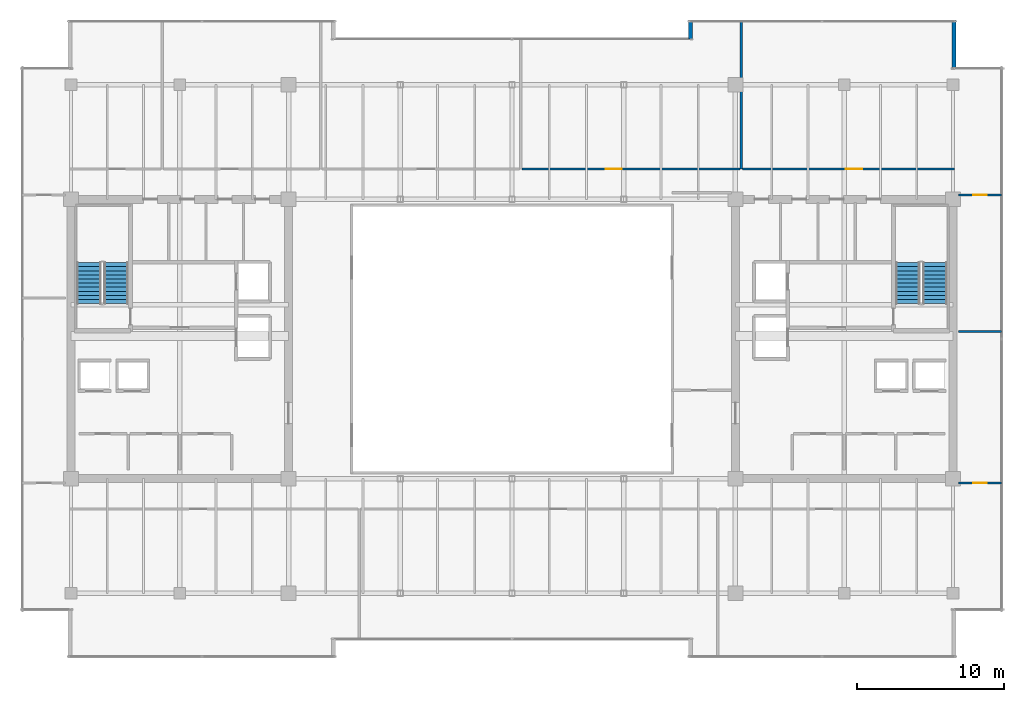
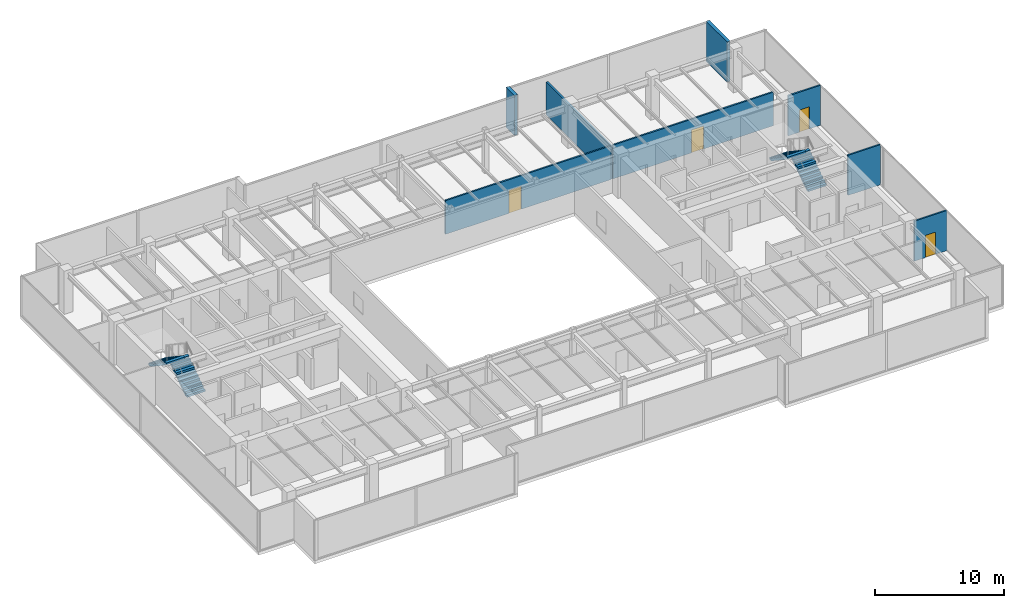
# One storey, part 31 of 33: 8 walls, 4 doors, 4 stair flights, 4 openings, 2 elements without a shape of their own.
"""IFC4 building model written with IfcOpenShell, lengths in metres."""

from ifc_helpers import new_model, si_unit, direction, frame, frame_2d, origin, place, context, subcontext, project, spatial, polyline, rectangle, outline, extrude, source, transform, mapped, material, layer, layer_set, type_object, type_shapes, element, fill, aggregate, save


model = new_model("IFC4")

# Units and contexts
model_context = context("Model", 3, precision=1e-05, world=origin(), true_north=direction((0.0, 1.0)))
body_context = subcontext(model_context, "Body", "Model", "MODEL_VIEW")
ifc_project = project(units=[si_unit("LENGTHUNIT", "METRE"), si_unit("AREAUNIT", "SQUARE_METRE"), si_unit("VOLUMEUNIT", "CUBIC_METRE"), si_unit("PLANEANGLEUNIT", "RADIAN"), si_unit("MASSUNIT", "GRAM", prefix="KILO")], contexts=[model_context])

# Site, building, storey
site_placement = place(None, origin())
site = spatial("IfcSite", under=ifc_project, at=site_placement, CompositionType="ELEMENT")
building_placement = place(site_placement, origin())
building = spatial("IfcBuilding", under=site, at=building_placement, Name="Haelvirn Gate Laboratories", CompositionType="ELEMENT")
storey_placement = place(building_placement, frame((0.0, 0.0, 275.199951171875)))
storey = spatial("IfcBuildingStorey", under=building, at=storey_placement, Name="L66", CompositionType="ELEMENT", Elevation=275.199951171875)

# Walls
ifc_material_1 = material(Name="Thermally-broken bronze aluminium rainscreen & mineral wool", Category="aluminium")
ifc_layer_1 = layer(ifc_material_1, 0.280029296875, Name="EW-TERR-280")
ifc_layer_set_1 = layer_set([ifc_layer_1], Name="Thermally-broken bronze aluminium rainscreen & mineral wool")
wall_type_1 = type_object("IfcWallType", Name="EW-TERR-280", PredefinedType="STANDARD", material=ifc_layer_set_1)
wall_1_placement = place(storey_placement, frame((67.4599609375, 42.7119140625, 0.0), z_axis=(0.0, 0.0, 1.0), x_axis=(0.0, 1.0, 0.0)))
element("IfcWall", 1, at=wall_1_placement, inside=storey, type_object=wall_type_1, Name="L66 Atrium Recess Bronze Return Wall 09", PredefinedType="STANDARD", context=body_context, shape_type="SweptSolid", body=[
    extrude(rectangle(XDim=3.2880859375, YDim=0.280029296875, at=frame_2d((1.64404296875, 0.0))), origin(), (0.0, 0.0, 1.0), 3.800048828125),
])
wall_2_placement = place(storey_placement, frame((49.5400390625, 46.0, 0.0), z_axis=(0.0, 0.0, 1.0), x_axis=(0.0, -1.0, 0.0)))
element("IfcWall", 2, at=wall_2_placement, inside=storey, type_object=wall_type_1, Name="L66 Atrium Recess Bronze Return Wall 11", PredefinedType="STANDARD", context=body_context, shape_type="SweptSolid", body=[
    extrude(rectangle(XDim=1.29296875, YDim=0.280029296875, at=frame_2d((0.646484375, 0.0))), origin(), (0.0, 0.0, 1.0), 3.800048828125),
])
ifc_material_2 = material(Name="Double-layer acoustic gypsum laboratory partition", Category="gypsum")
ifc_layer_2 = layer(ifc_material_2, 0.159912109375, Name="IW-ACOUST-160")
ifc_layer_set_2 = layer_set([ifc_layer_2], Name="Double-layer acoustic gypsum laboratory partition")
wall_type_2 = type_object("IfcWallType", Name="IW-ACOUST-160", PredefinedType="PARTITIONING", material=ifc_layer_set_2)
wall_3_placement = place(storey_placement, frame((53.0, 35.860107421875, 0.0), z_axis=(0.0, 0.0, 1.0), x_axis=(0.0, 1.0, 0.0)))
element("IfcWall", 3, at=wall_3_placement, inside=storey, type_object=wall_type_2, Name="L66 Interior Wall IW-L66-NDIV-04", PredefinedType="PARTITIONING", context=body_context, shape_type="SweptSolid", body=[
    extrude(rectangle(XDim=10.02978515625, YDim=0.159912109375, at=frame_2d((5.014892578125, 0.0))), origin(), (0.0, 0.0, 1.0), 3.135009765625),
])

# Wall, opening, door
ifc_material_3 = material(Name="Acoustic mineral-wool gypsum board partition", Category="gypsum")
ifc_layer_3 = layer(ifc_material_3, 0.139892578125, Name="IW-PART-140")
ifc_layer_set_3 = layer_set([ifc_layer_3], Name="Acoustic mineral-wool gypsum board partition")
wall_type_3 = type_object("IfcWallType", Name="IW-PART-140", PredefinedType="PARTITIONING", material=ifc_layer_set_3)
wall_4_placement = place(storey_placement, frame((38.080078125, 35.860107421875, 0.0), z_axis=(0.0, 0.0, 1.0), x_axis=(1.0, 0.0, 0.0)))
wall_4 = element("IfcWall", 4, at=wall_4_placement, inside=storey, type_object=wall_type_3, Name="L66 Interior Wall IW-L66-NCORR-04", PredefinedType="PARTITIONING", context=body_context, shape_type="SweptSolid", body=[
    extrude(rectangle(XDim=14.83984375, YDim=0.139892578125, at=frame_2d((7.419921875, 0.0))), origin(), (0.0, 0.0, 1.0), 3.197021484375),
])
opening_1_placement = place(wall_4_placement, frame((5.6962890625, 0.0, 0.0)))
opening_1 = element("IfcOpeningElement", 5, at=opening_1_placement, cuts=wall_4, Name="Opening D1", PredefinedType="OPENING", context=body_context, shape_type="SweptSolid", body=[
    extrude(rectangle(XDim=1.10009765625, YDim=2.179931640625, at=frame_2d((0.550048828125, 1.08984375))), frame((0.0, 0.080078125, 0.0), z_axis=(0.0, -1.0, 0.0), x_axis=(1.0, 0.0, 0.0)), (0.0, 0.0, 1.0), 0.159912109375),
])
ifc_material_4 = material(Name="Vision-panel acoustic solid-core timber lab door", Category="wood")
door_type_1 = type_object("IfcDoorType", Name="DR-LAB-1100", OperationType="NOTDEFINED", PredefinedType="DOOR", material=ifc_material_4)
shared_shape_1 = source(origin(), body_context, "Body", "SweptSolid", [
    extrude(rectangle(XDim=1.10009765625, YDim=2.179931640625, at=frame_2d((0.550048828125, 1.08984375))), frame((0.0, 0.02490234375, 0.0), z_axis=(0.0, -1.0, 0.0), x_axis=(1.0, 0.0, 0.0)), (0.0, 0.0, 1.0), 0.050048828125),
])
type_shapes(door_type_1, [shared_shape_1])
door_1_placement = place(opening_1_placement, origin())
door_1 = element("IfcDoor", 6, at=door_1_placement, inside=storey, type_object=door_type_1, Name="L66 Colloquium Conference Room Door N4", OperationType="SINGLE_SWING_LEFT", OverallHeight=2.179931640625, OverallWidth=1.10009765625, PredefinedType="DOOR", context=body_context, shape_type="MappedRepresentation", body=[
    mapped(shared_shape_1, transform((0.0, 0.0, 0.0), scale=1.0)),
])
fill(opening_1, door_1)

wall_5_placement = place(storey_placement, frame((53.080078125, 35.860107421875, 0.0), z_axis=(0.0, 0.0, 1.0), x_axis=(1.0, 0.0, 0.0)))
wall_5 = element("IfcWall", 7, at=wall_5_placement, inside=storey, type_object=wall_type_3, Name="L66 Interior Wall IW-L66-NCORR-05", PredefinedType="PARTITIONING", context=body_context, shape_type="SweptSolid", body=[
    extrude(rectangle(XDim=14.409912109375, YDim=0.139892578125, at=frame_2d((7.205078125, 0.0))), origin(), (0.0, 0.0, 1.0), 3.197021484375),
])
opening_2_placement = place(wall_5_placement, frame((7.033203125, 0.0, 0.0)))
opening_2 = element("IfcOpeningElement", 8, at=opening_2_placement, cuts=wall_5, Name="Opening D1", PredefinedType="OPENING", context=body_context, shape_type="SweptSolid", body=[
    extrude(rectangle(XDim=1.10009765625, YDim=2.179931640625, at=frame_2d((0.550048828125, 1.08984375))), frame((0.0, 0.080078125, 0.0), z_axis=(0.0, -1.0, 0.0), x_axis=(1.0, 0.0, 0.0)), (0.0, 0.0, 1.0), 0.159912109375),
])
door_2_placement = place(opening_2_placement, origin())
door_2 = element("IfcDoor", 9, at=door_2_placement, inside=storey, type_object=door_type_1, Name="L66 Protocol Briefing Training Room Door N5", OperationType="SINGLE_SWING_RIGHT", OverallHeight=2.179931640625, OverallWidth=1.10009765625, PredefinedType="DOOR", context=body_context, shape_type="MappedRepresentation", body=[
    mapped(shared_shape_1, transform((0.0, 0.0, 0.0), scale=1.0)),
])
fill(opening_2, door_2)

# Wall
wall_6_placement = place(storey_placement, frame((67.780029296875, 24.800048828125, 0.0), z_axis=(0.0, 0.0, 1.0), x_axis=(1.0, 0.0, 0.0)))
element("IfcWall", 10, at=wall_6_placement, inside=storey, type_object=wall_type_3, Name="L66 Interior Wall IW-L66-EZ3-MID", PredefinedType="PARTITIONING", context=body_context, shape_type="SweptSolid", body=[
    extrude(rectangle(XDim=2.909912109375, YDim=0.139892578125, at=frame_2d((1.455078125, 0.0))), origin(), (0.0, 0.0, 1.0), 3.800048828125),
])

# Wall, opening, door
wall_7_placement = place(storey_placement, frame((67.780029296875, 14.5048828125, 0.0), z_axis=(0.0, 0.0, 1.0), x_axis=(1.0, 0.0, 0.0)))
wall_7 = element("IfcWall", 11, at=wall_7_placement, inside=storey, type_object=wall_type_3, Name="L66 Interior Wall IW-L66-EZ3-ENT-S", PredefinedType="PARTITIONING", context=body_context, shape_type="SweptSolid", body=[
    extrude(rectangle(XDim=2.909912109375, YDim=0.139892578125, at=frame_2d((1.455078125, 0.0))), origin(), (0.0, 0.0, 1.0), 3.800048828125),
])
opening_3_placement = place(wall_7_placement, frame((1.0048828125, 0.0, 0.0)))
opening_3 = element("IfcOpeningElement", 12, at=opening_3_placement, cuts=wall_7, Name="Opening D4", PredefinedType="OPENING", context=body_context, shape_type="SweptSolid", body=[
    extrude(rectangle(XDim=0.89990234375, YDim=2.10009765625, at=frame_2d((0.449951171875, 1.050048828125))), frame((0.0, 0.080078125, 0.0), z_axis=(0.0, -1.0, 0.0), x_axis=(1.0, 0.0, 0.0)), (0.0, 0.0, 1.0), 0.159912109375),
])
ifc_material_5 = material(Name="Glazed aluminium-framed write-up door", Category="aluminium")
door_type_2 = type_object("IfcDoorType", Name="DR-OFF-900", OperationType="NOTDEFINED", PredefinedType="DOOR", material=ifc_material_5)
shared_shape_2 = source(origin(), body_context, "Body", "SweptSolid", [
    extrude(rectangle(XDim=0.89990234375, YDim=2.10009765625, at=frame_2d((0.449951171875, 1.050048828125))), frame((0.0, 0.02490234375, 0.0), z_axis=(0.0, -1.0, 0.0), x_axis=(1.0, 0.0, 0.0)), (0.0, 0.0, 1.0), 0.050048828125),
])
type_shapes(door_type_2, [shared_shape_2])
door_3_placement = place(opening_3_placement, origin())
door_3 = element("IfcDoor", 13, at=door_3_placement, inside=storey, type_object=door_type_2, Name="L66 Bioprocess Foundry Laboratory Door E-S", OperationType="SINGLE_SWING_LEFT", OverallHeight=2.10009765625, OverallWidth=0.89990234375, PredefinedType="DOOR", context=body_context, shape_type="MappedRepresentation", body=[
    mapped(shared_shape_2, transform((0.0, 0.0, 0.0), scale=1.0)),
])
fill(opening_3, door_3)

wall_8_placement = place(storey_placement, frame((67.780029296875, 34.094970703125, 0.0), z_axis=(0.0, 0.0, 1.0), x_axis=(1.0, 0.0, 0.0)))
wall_8 = element("IfcWall", 14, at=wall_8_placement, inside=storey, type_object=wall_type_3, Name="L66 Interior Wall IW-L66-EZ3-ENT-N", PredefinedType="PARTITIONING", context=body_context, shape_type="SweptSolid", body=[
    extrude(rectangle(XDim=2.909912109375, YDim=0.139892578125, at=frame_2d((1.455078125, 0.0))), origin(), (0.0, 0.0, 1.0), 3.800048828125),
])
opening_4_placement = place(wall_8_placement, frame((1.0048828125, 0.0, 0.0)))
opening_4 = element("IfcOpeningElement", 15, at=opening_4_placement, cuts=wall_8, Name="Opening D4", PredefinedType="OPENING", context=body_context, shape_type="SweptSolid", body=[
    extrude(rectangle(XDim=0.89990234375, YDim=2.10009765625, at=frame_2d((0.449951171875, 1.050048828125))), frame((0.0, 0.080078125, 0.0), z_axis=(0.0, -1.0, 0.0), x_axis=(1.0, 0.0, 0.0)), (0.0, 0.0, 1.0), 0.159912109375),
])
door_4_placement = place(opening_4_placement, origin())
door_4 = element("IfcDoor", 16, at=door_4_placement, inside=storey, type_object=door_type_2, Name="L66 Proteomics Mass-Spec Laboratory Door E-N", OperationType="SINGLE_SWING_RIGHT", OverallHeight=2.10009765625, OverallWidth=0.89990234375, PredefinedType="DOOR", context=body_context, shape_type="MappedRepresentation", body=[
    mapped(shared_shape_2, transform((0.0, 0.0, 0.0), scale=1.0)),
])
fill(opening_4, door_4)

# Stair, stair flights
ifc_material_6 = material(Name="Concrete C40/50", Category="concrete")
stair_type = type_object("IfcStairType", Name="ST-DOG-1650-R22", PredefinedType="HALF_TURN_STAIR", material=ifc_material_6)
stair_1_placement = place(storey_placement, origin())
stair_1 = element("IfcStair", 17, at=stair_1_placement, inside=storey, type_object=stair_type, Name="L66 Escape Stair ST1", PredefinedType="HALF_TURN_STAIR")
stair_flight_type = type_object("IfcStairFlightType", Name="STF-1650-R11", PredefinedType="STRAIGHT", material=ifc_material_6)
shared_shape_3 = source(origin(), body_context, "Body", "SweptSolid", [
    extrude(outline(polyline([(0.0, 0.0), (0.0, 0.186279296875), (0.280029296875, 0.186279296875), (0.280029296875, 0.372802734375), (0.56005859375, 0.372802734375), (0.56005859375, 0.55908203125), (0.840087890625, 0.55908203125), (0.840087890625, 0.745361328125), (1.1201171875, 0.745361328125), (1.1201171875, 0.931884765625), (1.39990234375, 0.931884765625), (1.39990234375, 1.1181640625), (1.679931640625, 1.1181640625), (1.679931640625, 1.304443359375), (1.9599609375, 1.304443359375), (1.9599609375, 1.490966796875), (2.239990234375, 1.490966796875), (2.239990234375, 1.67724609375), (2.52001953125, 1.67724609375), (2.52001953125, 1.863525390625), (2.800048828125, 1.863525390625), (2.800048828125, 2.050048828125), (2.800048828125, 1.671630859375), (0.28857421875, 0.0), (0.0, 0.0)])), frame((0.0, 0.824951171875, 0.0), z_axis=(0.0, -1.0, 0.0), x_axis=(1.0, 0.0, 0.0)), (0.0, 0.0, 1.0), 1.64990234375),
])
type_shapes(stair_flight_type, [shared_shape_3])
stair_flight_1_placement = place(storey_placement, frame((10.47509765625, 26.699951171875, 0.0), z_axis=(0.0, 0.0, 1.0), x_axis=(0.0, 1.0, 0.0)))
stair_flight_1 = element("IfcStairFlight", 18, at=stair_flight_1_placement, type_object=stair_flight_type, Name="ST1 flight 1", NumberOfRisers=11, NumberOfTreads=10, PredefinedType="STRAIGHT", RiserHeight=0.186363636, TreadLength=0.28, context=body_context, shape_type="MappedRepresentation", body=[
    mapped(shared_shape_3, transform((0.0, 0.0, 0.0), scale=1.0)),
])
stair_flight_2_placement = place(storey_placement, frame((8.625, 29.5, 2.050048828125), z_axis=(0.0, 0.0, 1.0), x_axis=(0.0, -1.0, 0.0)))
stair_flight_2 = element("IfcStairFlight", 19, at=stair_flight_2_placement, type_object=stair_flight_type, Name="ST1 flight 2", NumberOfRisers=11, NumberOfTreads=10, PredefinedType="STRAIGHT", RiserHeight=0.186363636, TreadLength=0.28, context=body_context, shape_type="MappedRepresentation", body=[
    mapped(shared_shape_3, transform((0.0, 0.0, 0.0), scale=1.0)),
])
aggregate(stair_1, [stair_flight_1, stair_flight_2])

stair_2_placement = place(storey_placement, origin())
stair_2 = element("IfcStair", 20, at=stair_2_placement, inside=storey, type_object=stair_type, Name="L66 Escape Stair ST2", PredefinedType="HALF_TURN_STAIR")
stair_flight_3_placement = place(storey_placement, frame((66.175048828125, 26.699951171875, 0.0), z_axis=(0.0, 0.0, 1.0), x_axis=(0.0, 1.0, 0.0)))
stair_flight_3 = element("IfcStairFlight", 21, at=stair_flight_3_placement, type_object=stair_flight_type, Name="ST2 flight 1", NumberOfRisers=11, NumberOfTreads=10, PredefinedType="STRAIGHT", RiserHeight=0.186363636, TreadLength=0.28, context=body_context, shape_type="MappedRepresentation", body=[
    mapped(shared_shape_3, transform((0.0, 0.0, 0.0), scale=1.0)),
])
stair_flight_4_placement = place(storey_placement, frame((64.324951171875, 29.5, 2.050048828125), z_axis=(0.0, 0.0, 1.0), x_axis=(0.0, -1.0, 0.0)))
stair_flight_4 = element("IfcStairFlight", 22, at=stair_flight_4_placement, type_object=stair_flight_type, Name="ST2 flight 2", NumberOfRisers=11, NumberOfTreads=10, PredefinedType="STRAIGHT", RiserHeight=0.186363636, TreadLength=0.28, context=body_context, shape_type="MappedRepresentation", body=[
    mapped(shared_shape_3, transform((0.0, 0.0, 0.0), scale=1.0)),
])
aggregate(stair_2, [stair_flight_3, stair_flight_4])

save(model, "model.ifc")
